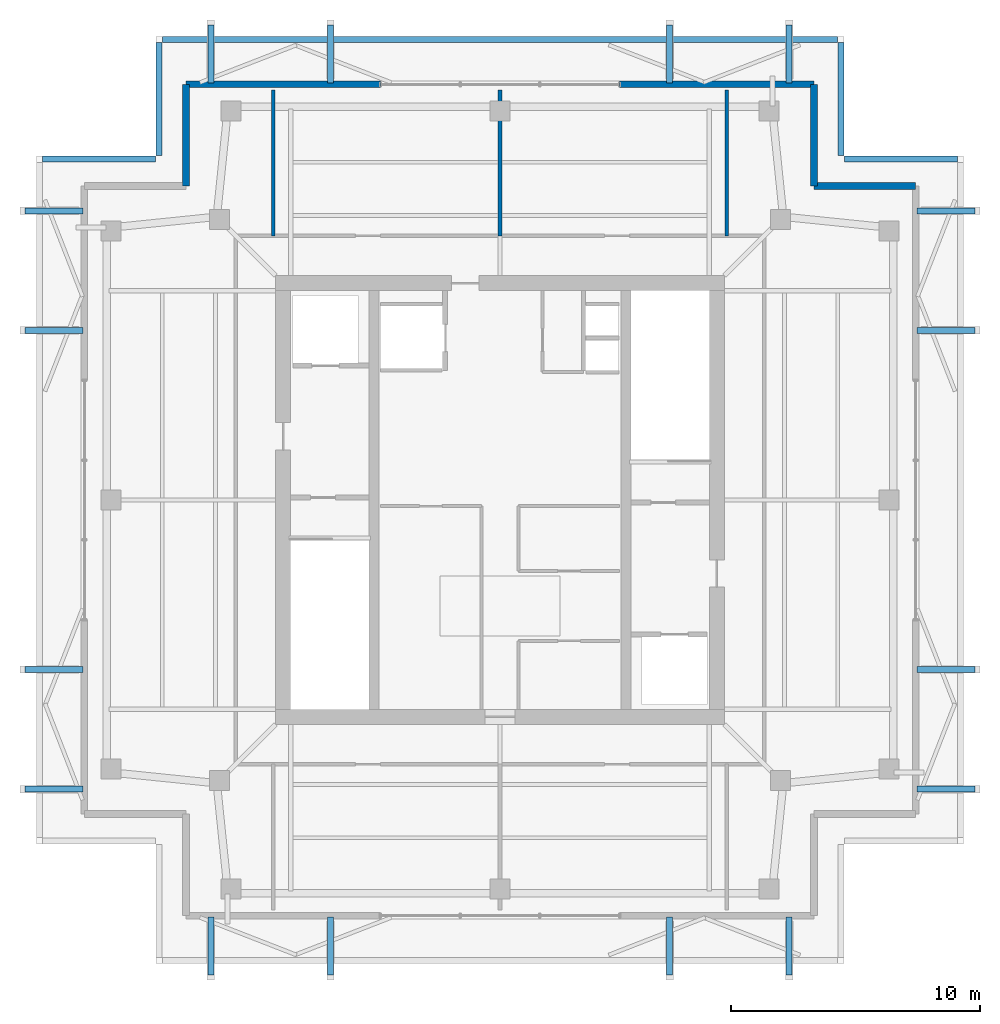
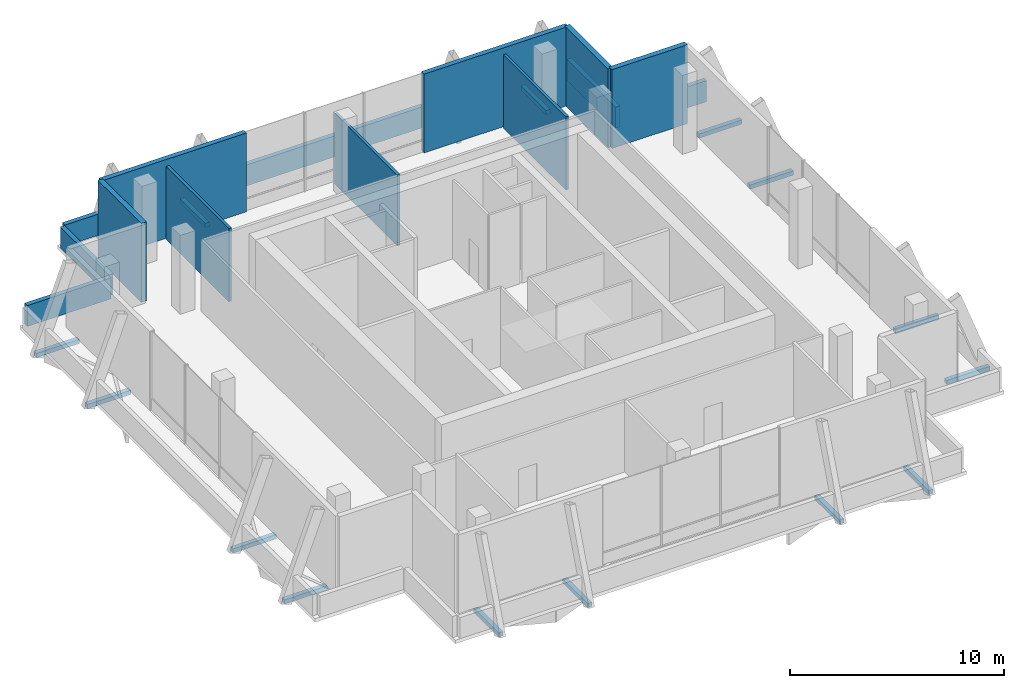
# One storey, part 14 of 15: 16 discrete accessories, 13 walls.
"""IFC4 building model written with IfcOpenShell, lengths in metres."""

from ifc_helpers import new_model, si_unit, direction, frame, frame_2d, origin, origin_2d, place, context, subcontext, project, spatial, rectangle, extrude, material, layer, layer_set, type_object, element, save


model = new_model("IFC4")

# Units and contexts
model_context = context("Model", 3, precision=1e-05, world=origin(), true_north=direction((0.0, 1.0)))
body_context = subcontext(model_context, "Body", "Model", "MODEL_VIEW")
ifc_project = project(units=[si_unit("LENGTHUNIT", "METRE"), si_unit("AREAUNIT", "SQUARE_METRE"), si_unit("VOLUMEUNIT", "CUBIC_METRE"), si_unit("PLANEANGLEUNIT", "RADIAN"), si_unit("MASSUNIT", "GRAM", prefix="KILO")], contexts=[model_context])

# Site, building, storey
site_placement = place(None, origin())
site = spatial("IfcSite", under=ifc_project, at=site_placement, CompositionType="ELEMENT")
building_placement = place(site_placement, origin())
building = spatial("IfcBuilding", under=site, at=building_placement, Name="Belovzor Exchange Tower", CompositionType="ELEMENT")
storey_placement = place(building_placement, frame((0.0, 0.0, 373.800048828125)))
storey = spatial("IfcBuildingStorey", under=building, at=storey_placement, Name="L93", CompositionType="ELEMENT", Elevation=373.800048828125)

# Walls
ifc_material_1 = material(Name="Fire-Rated Gypsum Block and Mineral Wool", Category="gypsum")
ifc_layer_1 = layer(ifc_material_1, 0.14990234375)
ifc_layer_set_1 = layer_set([ifc_layer_1], Name="Fire-Rated Gypsum Block and Mineral Wool")
wall_type_1 = type_object("IfcWallType", Name="Fire-Rated Gypsum Block Corridor Wall 150", PredefinedType="PARTITIONING", material=ifc_layer_set_1)
wall_1_placement = place(storey_placement, frame((19.699951171875, 39.39990234375, 0.0), z_axis=(0.0, 0.0, 1.0), x_axis=(0.0, 1.0, 0.0)))
element("IfcWall", 1, at=wall_1_placement, inside=storey, type_object=wall_type_1, Name="W-P150 Partition Wall W-L93-Q3W", PredefinedType="PARTITIONING", context=body_context, shape_type="SweptSolid", body=[
    extrude(rectangle(XDim=5.85009765625, YDim=0.14990234375, at=frame_2d((2.925048828125, 0.0))), origin(), (0.0, 0.0, 1.0), 4.18505859375),
])
wall_2_placement = place(storey_placement, frame((28.800048828125, 39.39990234375, 0.0), z_axis=(0.0, 0.0, 1.0), x_axis=(0.0, 1.0, 0.0)))
element("IfcWall", 2, at=wall_2_placement, inside=storey, type_object=wall_type_1, Name="W-P150 Partition Wall W-L93-Q3M", PredefinedType="PARTITIONING", context=body_context, shape_type="SweptSolid", body=[
    extrude(rectangle(XDim=5.85009765625, YDim=0.14990234375, at=frame_2d((2.925048828125, 0.0))), origin(), (0.0, 0.0, 1.0), 4.034912109375),
])
wall_3_placement = place(storey_placement, frame((37.89990234375, 39.39990234375, 0.0), z_axis=(0.0, 0.0, 1.0), x_axis=(0.0, 1.0, 0.0)))
element("IfcWall", 3, at=wall_3_placement, inside=storey, type_object=wall_type_1, Name="W-P150 Partition Wall W-L93-Q4E", PredefinedType="PARTITIONING", context=body_context, shape_type="SweptSolid", body=[
    extrude(rectangle(XDim=5.85009765625, YDim=0.14990234375, at=frame_2d((2.925048828125, 0.0))), origin(), (0.0, 0.0, 1.0), 4.18505859375),
])
ifc_material_2 = material(Name="Precast concrete C40/50", Category="concrete")
ifc_layer_2 = layer(ifc_material_2, 0.280029296875)
ifc_layer_set_2 = layer_set([ifc_layer_2], Name="Precast concrete C40/50")
wall_type_2 = type_object("IfcWallType", Name="Precast Concrete Notched Corner Frame Wall 280", PredefinedType="SOLIDWALL", material=ifc_layer_set_2)
for number, where, z_axis, x_axis, name in (
    (4, (16.199951171875, 41.39990234375, 0.0), (0.0, 0.0, 1.0), (0.0, 1.0, 0.0), "W-CRN280 Precast Concrete Notched Corner Frame Wall 280 L93"),
    (5, (41.39990234375, 45.469970703125, 0.0), (0.0, 0.0, 1.0), (0.0, -1.0, 0.0), "W-CRN280 Precast Concrete Notched Corner Frame Wall 280 L93"),
    (6, (41.39990234375, 41.39990234375, 0.0), (0.0, 0.0, 1.0), (1.0, 0.0, 0.0), "W-CRN280 Precast Concrete Notched Corner Frame Wall 280 L93"),
):
    element("IfcWall", number, at=place(storey_placement, frame(where, z_axis=z_axis, x_axis=x_axis)), inside=storey, type_object=wall_type_2, Name=name, PredefinedType="SOLIDWALL", context=body_context, shape_type="SweptSolid", body=[
        extrude(rectangle(XDim=4.070068359375, YDim=0.280029296875, at=frame_2d((2.03515625, 0.0))), origin(), (0.0, 0.0, 1.0), 4.5),
    ])
ifc_material_3 = material(Name="Precast concrete C40/50", Category="concrete")
ifc_layer_3 = layer(ifc_material_3, 0.260009765625)
ifc_layer_set_3 = layer_set([ifc_layer_3], Name="Precast concrete C40/50")
wall_type_3 = type_object("IfcWallType", Name="Precast Concrete Perimeter Loggia Frame Wall 260", PredefinedType="SOLIDWALL", material=ifc_layer_set_3)
wall_4_placement = place(storey_placement, frame((16.199951171875, 45.469970703125, 0.0), z_axis=(0.0, 0.0, 1.0), x_axis=(1.0, 0.0, 0.0)))
element("IfcWall", 7, at=wall_4_placement, inside=storey, type_object=wall_type_3, Name="W-EXT260 Precast Concrete Perimeter Loggia Frame Wall 260 L93", PredefinedType="SOLIDWALL", context=body_context, shape_type="SweptSolid", body=[
    extrude(rectangle(XDim=7.800048828125, YDim=0.260009765625, at=frame_2d((3.89990234375, 0.0))), origin(), (0.0, 0.0, 1.0), 4.5),
])
wall_5_placement = place(storey_placement, frame((33.60009765625, 45.469970703125, 0.0), z_axis=(0.0, 0.0, 1.0), x_axis=(1.0, 0.0, 0.0)))
element("IfcWall", 8, at=wall_5_placement, inside=storey, type_object=wall_type_3, Name="W-EXT260 Precast Concrete Perimeter Loggia Frame Wall 260 L93", PredefinedType="SOLIDWALL", context=body_context, shape_type="SweptSolid", body=[
    extrude(rectangle(XDim=7.7998046875, YDim=0.260009765625, at=frame_2d((3.89990234375, 0.0))), origin(), (0.0, 0.0, 1.0), 4.5),
])
ifc_material_4 = material(Name="Precast concrete C40/50", Category="concrete")
ifc_layer_4 = layer(ifc_material_4, 0.239990234375)
ifc_layer_set_4 = layer_set([ifc_layer_4], Name="Precast concrete C40/50")
wall_type_4 = type_object("IfcWallType", Name="Precast Stone Setback Roof Parapet Wall 240", PredefinedType="PARAPET", material=ifc_layer_set_4)
for number, where, z_axis, x_axis, name in (
    (9, (47.14501953125, 42.47998046875, 0.0), (0.0, 0.0, 1.0), (-1.0, 0.0, 0.0), "W-PAR240 Precast Stone Setback Roof Parapet Wall 240 L93"),
    (10, (42.47998046875, 42.614990234375, 0.0), (0.0, 0.0, 1.0), (0.0, 1.0, 0.0), "W-PAR240 Precast Stone Setback Roof Parapet Wall 240 L93"),
):
    element("IfcWall", number, at=place(storey_placement, frame(where, z_axis=z_axis, x_axis=x_axis)), inside=storey, type_object=wall_type_4, Name=name, PredefinedType="PARAPET", context=body_context, shape_type="SweptSolid", body=[
        extrude(rectangle(XDim=4.530029296875, YDim=0.239990234375, at=frame_2d((2.26513671875, 0.0))), origin(), (0.0, 0.0, 1.0), 1.199951171875),
    ])
wall_6_placement = place(storey_placement, frame((42.344970703125, 47.280029296875, 0.0), z_axis=(0.0, 0.0, 1.0), x_axis=(-1.0, 0.0, 0.0)))
element("IfcWall", 11, at=wall_6_placement, inside=storey, type_object=wall_type_4, Name="W-PAR240 Precast Stone Setback Roof Parapet Wall 240 L93", PredefinedType="PARAPET", context=body_context, shape_type="SweptSolid", body=[
    extrude(rectangle(XDim=27.090087890625, YDim=0.239990234375, at=frame_2d((13.544921875, 0.0))), origin(), (0.0, 0.0, 1.0), 1.199951171875),
])
for number, where, z_axis, x_axis, name in (
    (12, (15.1201171875, 47.14501953125, 0.0), (0.0, 0.0, 1.0), (0.0, -1.0, 0.0), "W-PAR240 Precast Stone Setback Roof Parapet Wall 240 L93"),
    (13, (14.985107421875, 42.47998046875, 0.0), (0.0, 0.0, 1.0), (-1.0, 0.0, 0.0), "W-PAR240 Precast Stone Setback Roof Parapet Wall 240 L93"),
):
    element("IfcWall", number, at=place(storey_placement, frame(where, z_axis=z_axis, x_axis=x_axis)), inside=storey, type_object=wall_type_4, Name=name, PredefinedType="PARAPET", context=body_context, shape_type="SweptSolid", body=[
        extrude(rectangle(XDim=4.530029296875, YDim=0.239990234375, at=frame_2d((2.26513671875, 0.0))), origin(), (0.0, 0.0, 1.0), 1.199951171875),
    ])

# Discrete accessories
ifc_material_5 = material(Name="Stainless Steel Grade 316", Category="steel")
ifc_layer_5 = layer(ifc_material_5, 0.179931640625)
ifc_layer_set_5 = layer_set([ifc_layer_5], Name="Stainless Steel Grade 316")
discrete_accessory_type = type_object("IfcDiscreteAccessoryType", Name="Stainless Steel Facade Outrigger Fixing Bracket", PredefinedType="BRACKET", material=ifc_layer_set_5)
for number, where, z_axis, x_axis, name in (
    (14, (17.199951171875, 10.912109375, -0.27001953125), (0.0, 0.0, 1.0), (0.0, 1.0, 0.0), "BRK-FIN1 Sweeping Fin Outrigger Bracket L93 S1"),
    (15, (17.199951171875, 46.68798828125, -0.27001953125), (0.0, 0.0, 1.0), (0.0, 1.0, 0.0), "BRK-FIN1 Sweeping Fin Outrigger Bracket L93 N1"),
    (16, (10.912109375, 17.199951171875, -0.27001953125), (0.0, 0.0, 1.0), (1.0, 0.0, 0.0), "BRK-FIN1 Sweeping Fin Outrigger Bracket L93 W1"),
    (17, (46.68798828125, 17.199951171875, -0.27001953125), (0.0, 0.0, 1.0), (1.0, 0.0, 0.0), "BRK-FIN1 Sweeping Fin Outrigger Bracket L93 E1"),
    (18, (22.0, 10.912109375, -0.27001953125), (0.0, 0.0, 1.0), (0.0, 1.0, 0.0), "BRK-FIN1 Sweeping Fin Outrigger Bracket L93 S2"),
    (19, (22.0, 46.68798828125, -0.27001953125), (0.0, 0.0, 1.0), (0.0, 1.0, 0.0), "BRK-FIN1 Sweeping Fin Outrigger Bracket L93 N2"),
    (20, (10.912109375, 22.0, -0.27001953125), (0.0, 0.0, 1.0), (1.0, 0.0, 0.0), "BRK-FIN1 Sweeping Fin Outrigger Bracket L93 W2"),
    (21, (46.68798828125, 22.0, -0.27001953125), (0.0, 0.0, 1.0), (1.0, 0.0, 0.0), "BRK-FIN1 Sweeping Fin Outrigger Bracket L93 E2"),
    (22, (35.60009765625, 10.912109375, -0.27001953125), (0.0, 0.0, 1.0), (0.0, 1.0, 0.0), "BRK-FIN1 Sweeping Fin Outrigger Bracket L93 S3"),
    (23, (35.60009765625, 46.68798828125, -0.27001953125), (0.0, 0.0, 1.0), (0.0, 1.0, 0.0), "BRK-FIN1 Sweeping Fin Outrigger Bracket L93 N3"),
    (24, (10.912109375, 35.60009765625, -0.27001953125), (0.0, 0.0, 1.0), (1.0, 0.0, 0.0), "BRK-FIN1 Sweeping Fin Outrigger Bracket L93 W3"),
    (25, (46.68798828125, 35.60009765625, -0.27001953125), (0.0, 0.0, 1.0), (1.0, 0.0, 0.0), "BRK-FIN1 Sweeping Fin Outrigger Bracket L93 E3"),
    (26, (40.39990234375, 10.912109375, -0.27001953125), (0.0, 0.0, 1.0), (0.0, 1.0, 0.0), "BRK-FIN1 Sweeping Fin Outrigger Bracket L93 S4"),
    (27, (40.39990234375, 46.68798828125, -0.27001953125), (0.0, 0.0, 1.0), (0.0, 1.0, 0.0), "BRK-FIN1 Sweeping Fin Outrigger Bracket L93 N4"),
    (28, (10.912109375, 40.39990234375, -0.27001953125), (0.0, 0.0, 1.0), (1.0, 0.0, 0.0), "BRK-FIN1 Sweeping Fin Outrigger Bracket L93 W4"),
    (29, (46.68798828125, 40.39990234375, -0.27001953125), (0.0, 0.0, 1.0), (1.0, 0.0, 0.0), "BRK-FIN1 Sweeping Fin Outrigger Bracket L93 E4"),
):
    element("IfcDiscreteAccessory", number, at=place(storey_placement, frame(where, z_axis=z_axis, x_axis=x_axis)), inside=storey, type_object=discrete_accessory_type, Name=name, PredefinedType="BRACKET", context=body_context, shape_type="SweptSolid", body=[
        extrude(rectangle(XDim=2.3349609375, YDim=0.239990234375, at=origin_2d()), origin(), (0.0, 0.0, 1.0), 0.239990234375),
    ])

save(model, "model.ifc")
